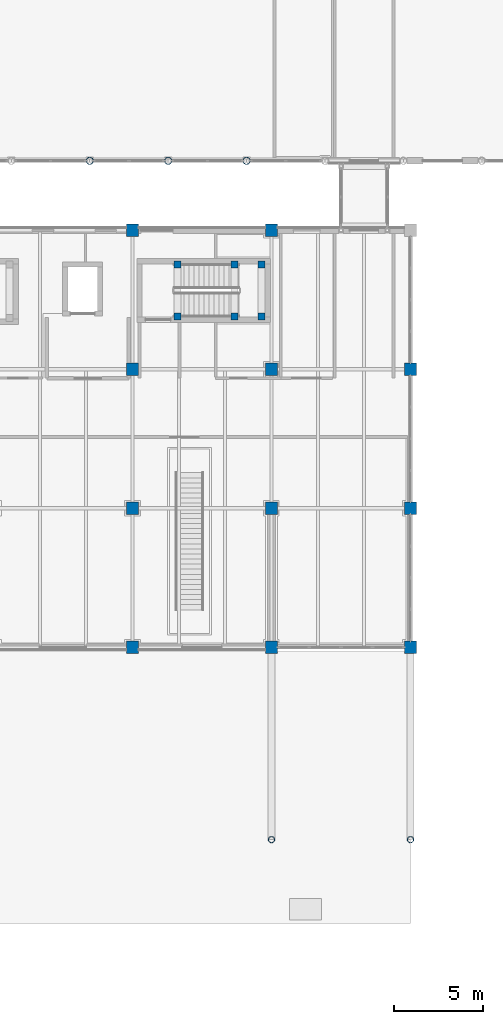
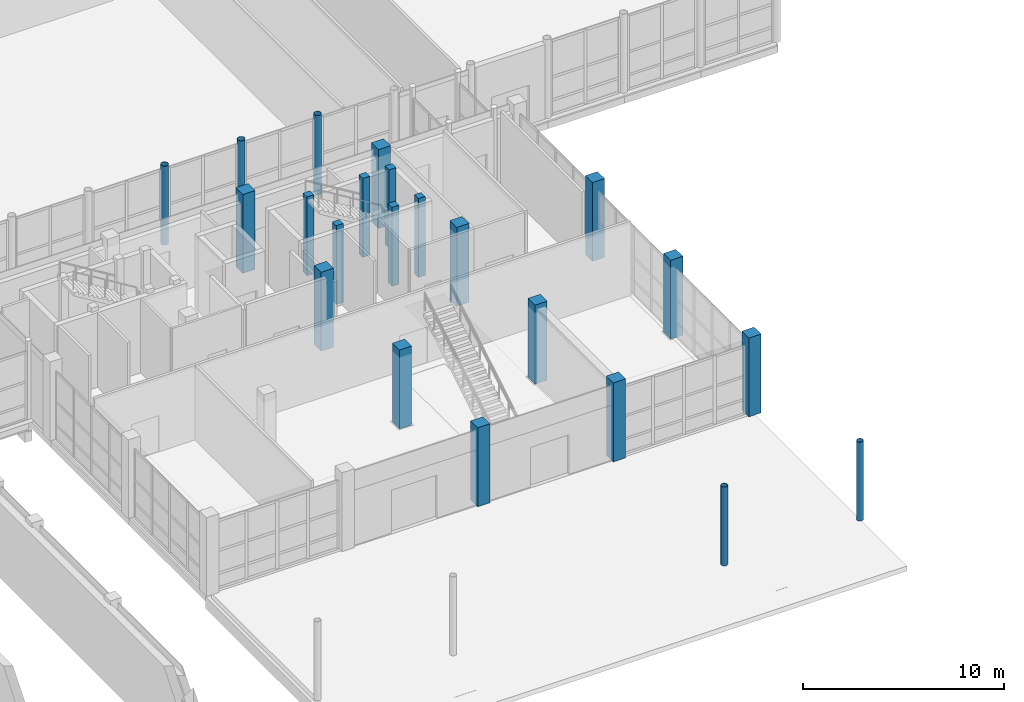
# One storey, part 8 of 131: 22 columns.
"""IFC4 building model written with IfcOpenShell, lengths in metres."""

from ifc_helpers import new_model, si_unit, direction, frame, origin, origin_2d, place, context, subcontext, project, spatial, rectangle, hollow_circle, extrude, material, material_profile, profile_set, type_object, element, save


model = new_model("IFC4")

# Units and contexts
model_context = context("Model", 3, precision=1e-05, world=origin(), true_north=direction((0.0, 1.0)))
body_context = subcontext(model_context, "Body", "Model", "MODEL_VIEW")
ifc_project = project(units=[si_unit("LENGTHUNIT", "METRE"), si_unit("AREAUNIT", "SQUARE_METRE"), si_unit("VOLUMEUNIT", "CUBIC_METRE"), si_unit("PLANEANGLEUNIT", "RADIAN"), si_unit("MASSUNIT", "GRAM", prefix="KILO")], contexts=[model_context])

# Site, building, storey
site_placement = place(None, origin())
site = spatial("IfcSite", under=ifc_project, at=site_placement, CompositionType="ELEMENT")
building_placement = place(site_placement, origin())
building = spatial("IfcBuilding", under=site, at=building_placement, Name="Celorna Specialist Clinic", CompositionType="ELEMENT")
storey_placement = place(building_placement, origin())
storey = spatial("IfcBuildingStorey", under=building, at=storey_placement, Name="L00", CompositionType="ELEMENT", Elevation=0.0)

# Columns
ifc_material_1 = material(Name="Concrete C40/50", Category="concrete")
ifc_material_profile_1 = material_profile(ifc_material_1, rectangle(XDim=0.699951171875, YDim=0.699951171875, at=origin_2d()), Name="RC 700x700")
ifc_profile_set_1 = profile_set([ifc_material_profile_1], Name="Concrete C40/50")
column_type_1 = type_object("IfcColumnType", Name="CT-02", PredefinedType="COLUMN", material=ifc_profile_set_1)
for number, where, z_axis, x_axis, name in (
    (1, (70.199951171875, 19.5, 0.0), (0.0, 0.0, 1.0), (1.0, 0.0, 0.0), "Column CT-02 L00 X10/YE"),
    (2, (70.199951171875, 27.300048828125, 0.0), (0.0, 0.0, 1.0), (1.0, 0.0, 0.0), "Column CT-02 L00 X10/YF"),
    (3, (70.199951171875, 35.10009765625, 0.0), (0.0, 0.0, 1.0), (1.0, 0.0, 0.0), "Column CT-02 L00 X10/YG"),
    (4, (70.199951171875, 42.89990234375, 0.0), (0.0, 0.0, 1.0), (1.0, 0.0, 0.0), "Column CT-02 L00 X10/YH"),
    (5, (78.0, 19.5, 0.0), (0.0, 0.0, 1.0), (1.0, 0.0, 0.0), "Column CT-02 L00 X11/YE"),
    (6, (78.0, 27.300048828125, 0.0), (0.0, 0.0, 1.0), (1.0, 0.0, 0.0), "Column CT-02 L00 X11/YF"),
    (7, (78.0, 35.10009765625, 0.0), (0.0, 0.0, 1.0), (1.0, 0.0, 0.0), "Column CT-02 L00 X11/YG"),
    (8, (78.0, 42.89990234375, 0.0), (0.0, 0.0, 1.0), (1.0, 0.0, 0.0), "Column CT-02 L00 X11/YH"),
    (9, (85.800048828125, 19.5, 0.0), (0.0, 0.0, 1.0), (1.0, 0.0, 0.0), "Column CT-02 L00 X12/YE"),
    (10, (85.800048828125, 27.300048828125, 0.0), (0.0, 0.0, 1.0), (1.0, 0.0, 0.0), "Column CT-02 L00 X12/YF"),
    (11, (85.800048828125, 35.10009765625, 0.0), (0.0, 0.0, 1.0), (1.0, 0.0, 0.0), "Column CT-02 L00 X12/YG"),
):
    element("IfcColumn", number, at=place(storey_placement, frame(where, z_axis=z_axis, x_axis=x_axis)), inside=storey, type_object=column_type_1, Name=name, PredefinedType="COLUMN", context=body_context, shape_type="SweptSolid", body=[
        extrude(rectangle(XDim=0.699951171875, YDim=0.699951171875, at=origin_2d()), origin(), (0.0, 0.0, 1.0), 4.800048828125),
    ])
ifc_material_2 = material(Name="Concrete C35/45", Category="concrete")
ifc_material_profile_2 = material_profile(ifc_material_2, rectangle(XDim=0.39990234375, YDim=0.39990234375, at=origin_2d()), Name="RC 400x400")
ifc_profile_set_2 = profile_set([ifc_material_profile_2], Name="Concrete C35/45")
column_type_2 = type_object("IfcColumnType", Name="CT-08", PredefinedType="COLUMN", material=ifc_profile_set_2)
for number, where, z_axis, x_axis, name in (
    (12, (72.719970703125, 38.070068359375, 0.0), (0.0, 0.0, 1.0), (1.0, 0.0, 0.0), "Stair ST-09 landing column CT-08 L00 X10/YG"),
    (13, (72.719970703125, 40.969970703125, 0.0), (0.0, 0.0, 1.0), (1.0, 0.0, 0.0), "Stair ST-09 landing column CT-08 L00 X10/YH"),
    (14, (75.919921875, 38.070068359375, 0.0), (0.0, 0.0, 1.0), (1.0, 0.0, 0.0), "Stair ST-09 landing column CT-08 L00 X11/YG"),
    (15, (75.919921875, 40.969970703125, 0.0), (0.0, 0.0, 1.0), (1.0, 0.0, 0.0), "Stair ST-09 landing column CT-08 L00 X11/YH"),
    (16, (77.43994140625, 38.070068359375, 0.0), (0.0, 0.0, 1.0), (1.0, 0.0, 0.0), "Stair ST-09 landing column CT-08 L00 X11/YG"),
    (17, (77.43994140625, 40.969970703125, 0.0), (0.0, 0.0, 1.0), (1.0, 0.0, 0.0), "Stair ST-09 landing column CT-08 L00 X11/YH"),
):
    element("IfcColumn", number, at=place(storey_placement, frame(where, z_axis=z_axis, x_axis=x_axis)), inside=storey, type_object=column_type_2, Name=name, PredefinedType="COLUMN", context=body_context, shape_type="SweptSolid", body=[
        extrude(rectangle(XDim=0.39990234375, YDim=0.39990234375, at=origin_2d()), origin(), (0.0, 0.0, 1.0), 4.800048828125),
    ])
ifc_material_3 = material(Name="Steel S355", Category="steel")
ifc_material_profile_3 = material_profile(ifc_material_3, hollow_circle(Radius=0.177734375, WallThickness=0.01611328125, at=origin_2d()), Name="CHS 355.6x16")
ifc_profile_set_3 = profile_set([ifc_material_profile_3], Name="Steel S355")
column_type_3 = type_object("IfcColumnType", Name="CT-11", PredefinedType="COLUMN", material=ifc_profile_set_3)
for number, where, z_axis, x_axis, name in (
    (18, (78.0, 8.699951171875, 0.0), (0.0, 0.0, 1.0), (1.0, 0.0, 0.0), "Slim portico steel column CT-11 L00 X11/YC"),
    (19, (85.800048828125, 8.699951171875, 0.0), (0.0, 0.0, 1.0), (1.0, 0.0, 0.0), "Slim portico steel column CT-11 L00 X12/YC"),
):
    element("IfcColumn", number, at=place(storey_placement, frame(where, z_axis=z_axis, x_axis=x_axis)), inside=storey, type_object=column_type_3, Name=name, PredefinedType="COLUMN", context=body_context, shape_type="SweptSolid", body=[
        extrude(hollow_circle(Radius=0.177734375, WallThickness=0.01611328125, at=origin_2d()), origin(), (0.0, 0.0, 1.0), 4.800048828125),
    ])
ifc_material_profile_4 = material_profile(ifc_material_3, hollow_circle(Radius=0.203125, WallThickness=0.01611328125, at=origin_2d()), Name="CHS 406.4x16")
ifc_profile_set_4 = profile_set([ifc_material_profile_4], Name="Steel S355")
column_type_4 = type_object("IfcColumnType", Name="CT-12", PredefinedType="COLUMN", material=ifc_profile_set_4)
for number, where, z_axis, x_axis, name in (
    (20, (67.800048828125, 46.800048828125, 0.0), (0.0, 0.0, 1.0), (1.0, 0.0, 0.0), "Column CT-12 L00 X10/YJ"),
    (21, (72.199951171875, 46.800048828125, 0.0), (0.0, 0.0, 1.0), (1.0, 0.0, 0.0), "Column CT-12 L00 X10/YJ"),
    (22, (76.60009765625, 46.800048828125, 0.0), (0.0, 0.0, 1.0), (1.0, 0.0, 0.0), "Column CT-12 L00 X11/YJ"),
):
    element("IfcColumn", number, at=place(storey_placement, frame(where, z_axis=z_axis, x_axis=x_axis)), inside=storey, type_object=column_type_4, Name=name, PredefinedType="COLUMN", context=body_context, shape_type="SweptSolid", body=[
        extrude(hollow_circle(Radius=0.203125, WallThickness=0.01611328125, at=origin_2d()), origin(), (0.0, 0.0, 1.0), 4.800048828125),
    ])

save(model, "model.ifc")
